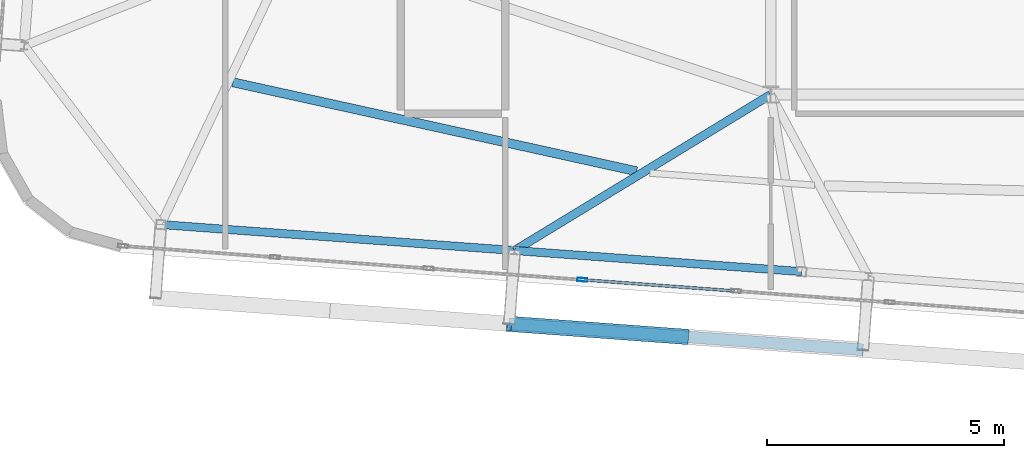
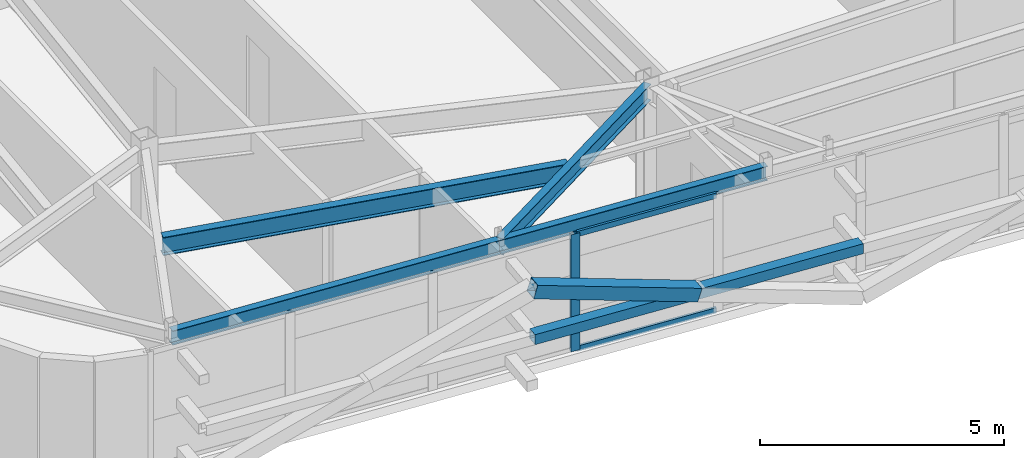
# One storey, part 10 of 42: 5 members, 4 beams, 1 element without a shape of its own.
"""IFC4 building model written with IfcOpenShell, lengths in metres."""

from ifc_helpers import new_model, si_unit, direction, frame, origin, origin_2d, place, context, subcontext, project, spatial, hollow_rectangle, i_section, extrude, source, transform, mapped, material, layer, layer_set, material_profile, profile_set, type_object, element, aggregate, save


model = new_model("IFC4")

# Units and contexts
model_context = context("Model", 3, precision=1e-05, world=origin(), true_north=direction((0.0, 1.0)))
body_context = subcontext(model_context, "Body", "Model", "MODEL_VIEW")
ifc_project = project(units=[si_unit("LENGTHUNIT", "METRE"), si_unit("AREAUNIT", "SQUARE_METRE"), si_unit("VOLUMEUNIT", "CUBIC_METRE"), si_unit("PLANEANGLEUNIT", "RADIAN"), si_unit("MASSUNIT", "GRAM", prefix="KILO")], contexts=[model_context])

# Site, building, storey
site_placement = place(None, origin())
site = spatial("IfcSite", under=ifc_project, at=site_placement, CompositionType="ELEMENT")
building_placement = place(site_placement, origin())
building = spatial("IfcBuilding", under=site, at=building_placement, Name="Taldren Reach Tower", CompositionType="ELEMENT")
storey_placement = place(building_placement, frame((0.0, 0.0, 217.699951171875)))
storey = spatial("IfcBuildingStorey", under=building, at=storey_placement, Name="L66", CompositionType="ELEMENT", Elevation=217.699951171875)

# Beams
ifc_material_1 = material(Name="Steel Gr 350 (350PLUS)", Category="steel")
ifc_material_profile_1 = material_profile(ifc_material_1, i_section(OverallWidth=0.172119140625, OverallDepth=0.35888671875, WebThickness=0.008056640625, FlangeThickness=0.012939453125, at=origin_2d()), Name="360UB56.7")
ifc_profile_set_1 = profile_set([ifc_material_profile_1], Name="Steel Gr 350 (350PLUS)")
beam_type_1 = type_object("IfcBeamType", Name="SP-UB360", PredefinedType="SPANDREL", material=ifc_profile_set_1)
shared_shape_1 = source(origin(), body_context, "Body", "SweptSolid", [
    extrude(i_section(OverallWidth=0.172119140625, OverallDepth=0.35888671875, WebThickness=0.008056640625, FlangeThickness=0.012939453125, at=origin_2d()), origin(), (0.0, 0.0, 1.0), 7.47998046875),
])
beam_1_placement = place(storey_placement, frame((15.140625, 6.460205078125, 2.75048828125), z_axis=(0.997314220642, -0.07324169103, 0.0), x_axis=(0.07324169103, 0.997314220642, 0.0)))
element("IfcBeam", 1, at=beam_1_placement, inside=storey, type_object=beam_type_1, Name="Perimeter spandrel B5 S1-S2 L66", PredefinedType="SPANDREL", context=body_context, shape_type="MappedRepresentation", body=[
    mapped(shared_shape_1, transform((0.0, 0.0, 0.0), scale=1.0)),
])
shared_shape_2 = source(origin(), body_context, "Body", "SweptSolid", [
    extrude(i_section(OverallWidth=0.172119140625, OverallDepth=0.35888671875, WebThickness=0.008056640625, FlangeThickness=0.012939453125, at=origin_2d()), origin(), (0.0, 0.0, 1.0), 6.070068359375),
])
beam_2_placement = place(storey_placement, frame((22.6005859375, 5.912353515625, 2.75048828125), z_axis=(0.997314196413, -0.073242020958, 0.0), x_axis=(0.073242020958, 0.997314196413, 0.0)))
element("IfcBeam", 2, at=beam_2_placement, inside=storey, type_object=beam_type_1, Name="Perimeter spandrel B5 S2-PJ1 L66", PredefinedType="SPANDREL", context=body_context, shape_type="MappedRepresentation", body=[
    mapped(shared_shape_2, transform((0.0, 0.0, 0.0), scale=1.0)),
])
ifc_material_profile_2 = material_profile(ifc_material_1, i_section(OverallWidth=0.177978515625, OverallDepth=0.406005859375, WebThickness=0.0078125, FlangeThickness=0.0126953125, at=origin_2d()), Name="410UB59.7")
ifc_profile_set_2 = profile_set([ifc_material_profile_2], Name="Steel Gr 350 (350PLUS)")
beam_type_2 = type_object("IfcBeamType", Name="BM-UB410", PredefinedType="BEAM", material=ifc_profile_set_2)
shared_shape_3 = source(origin(), body_context, "Body", "SweptSolid", [
    extrude(i_section(OverallWidth=0.177978515625, OverallDepth=0.406005859375, WebThickness=0.0078125, FlangeThickness=0.0126953125, at=origin_2d()), origin(), (0.0, 0.0, 1.0), 6.321533203125),
])
beam_3_placement = place(storey_placement, frame((28.0, 9.199951171875, 2.72705078125), z_axis=(-0.854128445192, -0.520062110823, 0.0), x_axis=(0.520062110823, -0.854128445192, 0.0)))
element("IfcBeam", 3, at=beam_3_placement, inside=storey, type_object=beam_type_2, Name="Primary floor girder B5-S2 L66", PredefinedType="BEAM", context=body_context, shape_type="MappedRepresentation", body=[
    mapped(shared_shape_3, transform((0.0, 0.0, 0.0), scale=1.0)),
])
ifc_material_profile_3 = material_profile(ifc_material_1, i_section(OverallWidth=0.19091796875, OverallDepth=0.4599609375, WebThickness=0.010009765625, FlangeThickness=0.01611328125, at=origin_2d()), Name="460UB82.1")
ifc_profile_set_3 = profile_set([ifc_material_profile_3], Name="Steel Gr 350 (350PLUS)")
beam_type_3 = type_object("IfcBeamType", Name="BM-UB460A", PredefinedType="BEAM", material=ifc_profile_set_3)
shared_shape_4 = source(origin(), body_context, "Body", "SweptSolid", [
    extrude(i_section(OverallWidth=0.19091796875, OverallDepth=0.4599609375, WebThickness=0.010009765625, FlangeThickness=0.01611328125, at=origin_2d()), origin(), (0.0, 0.0, 1.0), 8.719482421875),
])
beam_4_placement = place(storey_placement, frame((16.659423828125, 9.46044921875, 2.699951171875), z_axis=(0.976568964704, -0.2152046867, 0.0), x_axis=(0.2152046867, 0.976568964704, 0.0)))
element("IfcBeam", 4, at=beam_4_placement, inside=storey, type_object=beam_type_3, Name="Secondary floor beam B5 J1 L66", PredefinedType="BEAM", context=body_context, shape_type="MappedRepresentation", body=[
    mapped(shared_shape_4, transform((0.0, 0.0, 0.0), scale=1.0)),
])

# Members
ifc_material_2 = material(Name="Steel Gr 450 (C450L0)", Category="steel")
ifc_material_profile_4 = material_profile(ifc_material_2, hollow_rectangle(XDim=0.324951171875, YDim=0.324951171875, WallThickness=0.0126953125, at=origin_2d()), Name="325x325x12.7SHS")
ifc_profile_set_4 = profile_set([ifc_material_profile_4], Name="Steel Gr 450 (C450L0)")
member_type_1 = type_object("IfcMemberType", Name="MB-BR324", PredefinedType="BRACE", material=ifc_profile_set_4)
shared_shape_5 = source(origin(), body_context, "Body", "SweptSolid", [
    extrude(hollow_rectangle(XDim=0.324951171875, YDim=0.324951171875, WallThickness=0.0126953125, at=origin_2d()), origin(), (0.0, 0.0, 1.0), 3.932373046875),
])
member_1_placement = place(storey_placement, frame((26.217041015625, 4.0927734375, 1.43505859375), z_axis=(-0.948511132845, 0.069657644394, 0.308989390507), x_axis=(-0.07324169103, -0.997314220642, 0.0)))
element("IfcMember", 5, at=member_1_placement, inside=storey, type_object=member_type_1, Name="Exoskeleton Diagrid Brace B5-S2 L66", PredefinedType="BRACE", context=body_context, shape_type="MappedRepresentation", body=[
    mapped(shared_shape_5, transform((0.0, 0.0, 0.0), scale=1.0)),
])
ifc_material_3 = material(Name="Steel Gr 350 (C350L0)", Category="steel")
ifc_material_profile_5 = material_profile(ifc_material_3, hollow_rectangle(XDim=0.25, YDim=0.25, WallThickness=0.010009765625, at=origin_2d()), Name="250x250x10.0SHS")
ifc_profile_set_5 = profile_set([ifc_material_profile_5], Name="Steel Gr 350 (C350L0)")
member_type_2 = type_object("IfcMemberType", Name="MB-POST250", PredefinedType="POST", material=ifc_profile_set_5)
shared_shape_6 = source(origin(), body_context, "Body", "SweptSolid", [
    extrude(hollow_rectangle(XDim=0.25, YDim=0.25, WallThickness=0.010009765625, at=origin_2d()), origin(), (0.0, 0.0, 1.0), 7.47998046875),
])
member_2_placement = place(storey_placement, frame((22.487060546875, 4.36669921875, 1.43505859375), z_axis=(0.997314220642, -0.07324169103, 0.0), x_axis=(0.07324169103, 0.997314220642, 0.0)))
element("IfcMember", 6, at=member_2_placement, inside=storey, type_object=member_type_2, Name="Exoskeleton mid-height ring chord B5-S2 L66", PredefinedType="POST", context=body_context, shape_type="MappedRepresentation", body=[
    mapped(shared_shape_6, transform((0.0, 0.0, 0.0), scale=1.0)),
])

# Curtain wall, members
ifc_material_4 = material(Name="Aluminium and Low-E Glass Unitised System", Category="aluminium")
ifc_layer = layer(ifc_material_4, 0.159912109375)
ifc_layer_set = layer_set([ifc_layer], Name="Aluminium and Low-E Glass Unitised System")
curtain_wall_type = type_object("IfcCurtainWallType", Name="CW-SYS-6", PredefinedType="NOTDEFINED", material=ifc_layer_set)
curtain_wall_placement = place(storey_placement, origin())
curtain_wall = element("IfcCurtainWall", 7, at=curtain_wall_placement, inside=storey, type_object=curtain_wall_type, Name="Unitised curtain wall CW-L66-S", PredefinedType="NOTDEFINED")
ifc_material_5 = material(Name="Anodised Aluminium 6063-T6", Category="aluminium")
ifc_material_profile_6 = material_profile(ifc_material_5, hollow_rectangle(XDim=0.074951171875, YDim=0.2099609375, WallThickness=0.00439453125, at=origin_2d()), Name="ALU-210x75x4.5RHS")
ifc_profile_set_6 = profile_set([ifc_material_profile_6], Name="Anodised Aluminium 6063-T6")
member_type_3 = type_object("IfcMemberType", Name="CW-MUL-200", PredefinedType="MULLION", material=ifc_profile_set_6)
shared_shape_7 = source(origin(), body_context, "Body", "SweptSolid", [
    extrude(hollow_rectangle(XDim=0.074951171875, YDim=0.2099609375, WallThickness=0.00439453125, at=origin_2d()), origin(), (0.0, 0.0, 1.0), 2.929931640625),
])
member_3_placement = place(storey_placement, frame((24.029296875, 5.296142578125, 0.0), z_axis=(0.0, 0.0, 1.0), x_axis=(0.073238213716, 0.997314476006, 0.0)))
member_3 = element("IfcMember", 8, at=member_3_placement, type_object=member_type_3, Name="CW-6 mullion 4", PredefinedType="MULLION", context=body_context, shape_type="MappedRepresentation", body=[
    mapped(shared_shape_7, transform((0.0, 0.0, 0.0), scale=1.0)),
])
ifc_material_profile_7 = material_profile(ifc_material_5, hollow_rectangle(XDim=0.06005859375, YDim=0.135009765625, WallThickness=0.00341796875, at=origin_2d()), Name="ALU-135x60x3.5RHS")
ifc_profile_set_7 = profile_set([ifc_material_profile_7], Name="Anodised Aluminium 6063-T6")
member_type_4 = type_object("IfcMemberType", Name="CW-TRN-150", PredefinedType="USERDEFINED", material=ifc_profile_set_7)
shared_shape_8 = source(origin(), body_context, "Body", "SweptSolid", [
    extrude(hollow_rectangle(XDim=0.06005859375, YDim=0.135009765625, WallThickness=0.00341796875, at=origin_2d()), origin(), (0.0, 0.0, 1.0), 3.175048828125),
])
member_4_placement = place(storey_placement, frame((24.066650390625, 5.29345703125, 0.030029296875), z_axis=(0.997311428111, -0.073279706322, 0.0), x_axis=(0.073279706322, 0.997311428111, 0.0)))
member_4 = element("IfcMember", 9, at=member_4_placement, type_object=member_type_4, Name="CW-6 transom 4.1", ObjectType="TRANSOM", PredefinedType="USERDEFINED", context=body_context, shape_type="MappedRepresentation", body=[
    mapped(shared_shape_8, transform((0.0, 0.0, 0.0), scale=1.0)),
])
member_5_placement = place(storey_placement, frame((24.066650390625, 5.29345703125, 2.900146484375), z_axis=(0.997311428111, -0.073279706322, 0.0), x_axis=(0.073279706322, 0.997311428111, 0.0)))
member_5 = element("IfcMember", 10, at=member_5_placement, type_object=member_type_4, Name="CW-6 transom 4.2", ObjectType="TRANSOM", PredefinedType="USERDEFINED", context=body_context, shape_type="MappedRepresentation", body=[
    mapped(shared_shape_8, transform((0.0, 0.0, 0.0), scale=1.0)),
])
aggregate(curtain_wall, [member_3, member_4, member_5])

save(model, "model.ifc")
